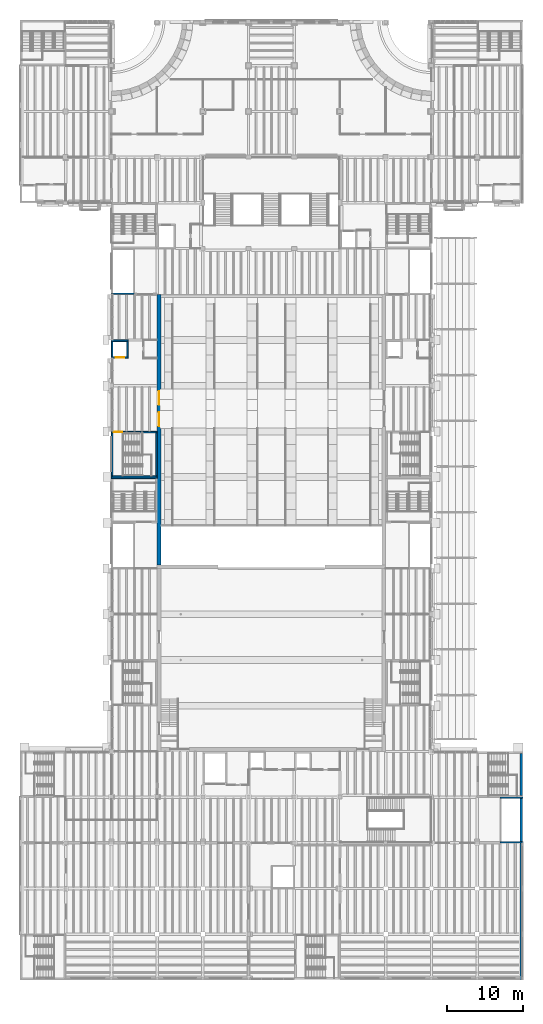
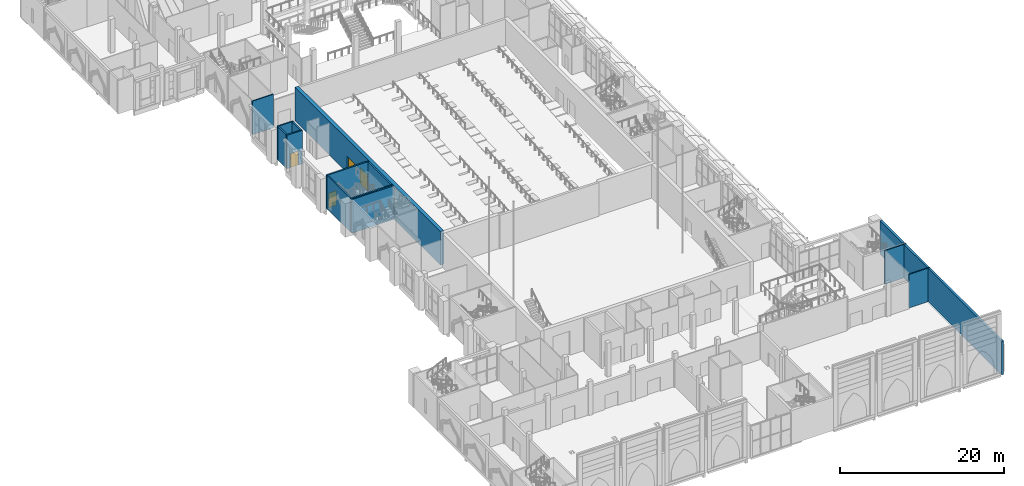
# One storey, part 41 of 80: 16 walls, 4 doors, 4 openings.
"""IFC4 building model written with IfcOpenShell, lengths in metres."""

from ifc_helpers import new_model, si_unit, direction, frame, frame_2d, origin, place, context, subcontext, project, spatial, rectangle, extrude, material, layer, layer_set, type_object, element, fill, save


model = new_model("IFC4")

# Units and contexts
model_context = context("Model", 3, precision=1e-05, world=origin(), true_north=direction((0.0, 1.0)))
body_context = subcontext(model_context, "Body", "Model", "MODEL_VIEW")
ifc_project = project(units=[si_unit("LENGTHUNIT", "METRE"), si_unit("AREAUNIT", "SQUARE_METRE"), si_unit("VOLUMEUNIT", "CUBIC_METRE"), si_unit("PLANEANGLEUNIT", "RADIAN"), si_unit("MASSUNIT", "GRAM", prefix="KILO")], contexts=[model_context])

# Site, building, storey
site_placement = place(None, origin())
site = spatial("IfcSite", under=ifc_project, at=site_placement, CompositionType="ELEMENT")
building_placement = place(site_placement, origin())
building = spatial("IfcBuilding", under=site, at=building_placement, Name="Saffron Lane Theatres", CompositionType="ELEMENT")
storey_placement = place(building_placement, frame((0.0, 0.0, 7.0)))
storey = spatial("IfcBuildingStorey", under=building, at=storey_placement, Name="L01", CompositionType="ELEMENT", Elevation=7.0)

# Walls
ifc_material_1 = material(Name="Concrete N50 (50 MPa)", Category="concrete")
ifc_layer_1 = layer(ifc_material_1, 0.14990234375)
ifc_layer_set_1 = layer_set([ifc_layer_1], Name="Concrete N50 (50 MPa)")
wall_type_1 = type_object("IfcWallType", Name="RC-CORE 150", PredefinedType="SHEAR", material=ifc_layer_set_1)
for number, where, z_axis, x_axis, name in (
    (1, (12.0, 90.074951171875, 0.0), (0.0, 0.0, 1.0), (1.0, 0.0, 0.0), "W-R1-S-L01"),
    (2, (63.0, 23.925048828125, 0.0), (0.0, 0.0, 1.0), (1.0, 0.0, 0.0), "W-R6-N-L01"),
    (3, (63.0, 18.074951171875, 0.0), (0.0, 0.0, 1.0), (1.0, 0.0, 0.0), "W-R6-S-L01"),
):
    element("IfcWall", number, at=place(storey_placement, frame(where, z_axis=z_axis, x_axis=x_axis)), inside=storey, type_object=wall_type_1, Name=name, PredefinedType="SHEAR", context=body_context, shape_type="SweptSolid", body=[
        extrude(rectangle(XDim=3.0, YDim=0.14990234375, at=frame_2d((1.5, 0.0))), origin(), (0.0, 0.0, 1.0), 5.0),
    ])

# Wall, opening, door
ifc_material_2 = material(Name="Concrete N50 (50 MPa)", Category="concrete")
ifc_layer_2 = layer(ifc_material_2, 0.199951171875)
ifc_layer_set_2 = layer_set([ifc_layer_2], Name="Concrete N50 (50 MPa)")
wall_type_2 = type_object("IfcWallType", Name="RC-CORE 200", PredefinedType="SHEAR", material=ifc_layer_set_2)
wall_1_placement = place(storey_placement, frame((12.0, 71.89990234375, 0.0), z_axis=(0.0, 0.0, 1.0), x_axis=(1.0, 0.0, 0.0)))
wall_1 = element("IfcWall", 4, at=wall_1_placement, inside=storey, type_object=wall_type_2, Name="W-ST3-N-L01", PredefinedType="SHEAR", context=body_context, shape_type="SweptSolid", body=[
    extrude(rectangle(XDim=6.0, YDim=0.199951171875, at=frame_2d((3.0, 0.0))), origin(), (0.0, 0.0, 1.0), 5.0),
])
opening_1_placement = place(wall_1_placement, frame((0.300048828125, 0.0, 0.0)))
opening_1 = element("IfcOpeningElement", 5, at=opening_1_placement, cuts=wall_1, Name="Opening D01-35", PredefinedType="OPENING", context=body_context, shape_type="SweptSolid", body=[
    extrude(rectangle(XDim=1.10009765625, YDim=2.199951171875, at=frame_2d((0.550048828125, 1.10009765625))), frame((0.0, 0.10986328125, 0.0), z_axis=(0.0, -1.0, 0.0), x_axis=(1.0, 0.0, 0.0)), (0.0, 0.0, 1.0), 0.219970703125),
])
ifc_material_3 = material(Name="Steel faced fire door leaf", Category="steel")
door_type_1 = type_object("IfcDoorType", Name="IN-DOOR 1100x2200 FD120", OperationType="NOTDEFINED", PredefinedType="DOOR", material=ifc_material_3)
door_1_placement = place(opening_1_placement, frame((1.10009765625, 0.0, 0.0), z_axis=(0.0, 0.0, 1.0), x_axis=(-1.0, 0.0, 0.0)))
door_1 = element("IfcDoor", 6, at=door_1_placement, inside=storey, type_object=door_type_1, Name="D01-35", OperationType="SINGLE_SWING_LEFT", OverallHeight=2.199951171875, OverallWidth=1.10009765625, PredefinedType="DOOR", context=body_context, shape_type="SweptSolid", body=[
    extrude(rectangle(XDim=1.10009765625, YDim=2.199951171875, at=frame_2d((0.550048828125, 1.10009765625))), frame((0.0, 0.02490234375, 0.0), z_axis=(0.0, -1.0, 0.0), x_axis=(1.0, 0.0, 0.0)), (0.0, 0.0, 1.0), 0.050048828125),
])
fill(opening_1, door_1)

# Walls
wall_2_placement = place(storey_placement, frame((12.0, 66.10009765625, 0.0), z_axis=(0.0, 0.0, 1.0), x_axis=(1.0, 0.0, 0.0)))
element("IfcWall", 7, at=wall_2_placement, inside=storey, type_object=wall_type_2, Name="W-ST3-S-L01", PredefinedType="SHEAR", context=body_context, shape_type="SweptSolid", body=[
    extrude(rectangle(XDim=6.0, YDim=0.199951171875, at=frame_2d((3.0, 0.0))), origin(), (0.0, 0.0, 1.0), 5.0),
])
wall_3_placement = place(storey_placement, frame((17.89990234375, 66.199951171875, 0.0), z_axis=(0.0, 0.0, 1.0), x_axis=(0.0, 1.0, 0.0)))
element("IfcWall", 8, at=wall_3_placement, inside=storey, type_object=wall_type_2, Name="W-ST3-E-L01", PredefinedType="SHEAR", context=body_context, shape_type="SweptSolid", body=[
    extrude(rectangle(XDim=5.60009765625, YDim=0.199951171875, at=frame_2d((2.800048828125, 0.0))), origin(), (0.0, 0.0, 1.0), 5.0),
])
wall_4_placement = place(storey_placement, frame((12.0, 65.89990234375, 0.0), z_axis=(0.0, 0.0, 1.0), x_axis=(1.0, 0.0, 0.0)))
element("IfcWall", 9, at=wall_4_placement, inside=storey, type_object=wall_type_2, Name="W-ST10-N-L01", PredefinedType="SHEAR", context=body_context, shape_type="SweptSolid", body=[
    extrude(rectangle(XDim=6.0, YDim=0.199951171875, at=frame_2d((3.0, 0.0))), origin(), (0.0, 0.0, 1.0), 5.0),
])
wall_5_placement = place(storey_placement, frame((12.0, 83.89990234375, 0.0), z_axis=(0.0, 0.0, 1.0), x_axis=(1.0, 0.0, 0.0)))
element("IfcWall", 10, at=wall_5_placement, inside=storey, type_object=wall_type_2, Name="W-LC3-N-L01", PredefinedType="SHEAR", context=body_context, shape_type="SweptSolid", body=[
    extrude(rectangle(XDim=2.199951171875, YDim=0.199951171875, at=frame_2d((1.10009765625, 0.0))), origin(), (0.0, 0.0, 1.0), 5.0),
])

# Wall, opening, door
wall_6_placement = place(storey_placement, frame((12.0, 81.699951171875, 0.0), z_axis=(0.0, 0.0, 1.0), x_axis=(1.0, 0.0, 0.0)))
wall_6 = element("IfcWall", 11, at=wall_6_placement, inside=storey, type_object=wall_type_2, Name="W-LC3-S-L01", PredefinedType="SHEAR", context=body_context, shape_type="SweptSolid", body=[
    extrude(rectangle(XDim=2.199951171875, YDim=0.199951171875, at=frame_2d((1.10009765625, 0.0))), origin(), (0.0, 0.0, 1.0), 5.0),
])
opening_2_placement = place(wall_6_placement, frame((0.550048828125, 0.0, 0.0)))
opening_2 = element("IfcOpeningElement", 12, at=opening_2_placement, cuts=wall_6, Name="Opening LD10", PredefinedType="OPENING", context=body_context, shape_type="SweptSolid", body=[
    extrude(rectangle(XDim=1.10009765625, YDim=2.10009765625, at=frame_2d((0.550048828125, 1.050048828125))), frame((0.0, 0.10986328125, 0.0), z_axis=(0.0, -1.0, 0.0), x_axis=(1.0, 0.0, 0.0)), (0.0, 0.0, 1.0), 0.219970703125),
])
ifc_material_4 = material(Name="Stainless steel 316", Category="steel")
door_type_2 = type_object("IfcDoorType", Name="VC-LANDING DOOR 1100x2100", OperationType="DOUBLE_DOOR_SLIDING", PredefinedType="DOOR", material=ifc_material_4)
door_2_placement = place(opening_2_placement, origin())
door_2 = element("IfcDoor", 13, at=door_2_placement, inside=storey, type_object=door_type_2, Name="Landing doors LC3 L01", OperationType="DOUBLE_DOOR_SLIDING", OverallHeight=2.10009765625, OverallWidth=1.10009765625, PredefinedType="DOOR", context=body_context, shape_type="SweptSolid", body=[
    extrude(rectangle(XDim=1.10009765625, YDim=2.10009765625, at=frame_2d((0.550048828125, 1.050048828125))), frame((0.0, 0.02490234375, 0.0), z_axis=(0.0, -1.0, 0.0), x_axis=(1.0, 0.0, 0.0)), (0.0, 0.0, 1.0), 0.050048828125),
])
fill(opening_2, door_2)

# Walls
wall_7_placement = place(storey_placement, frame((14.10009765625, 81.800048828125, 0.0), z_axis=(0.0, 0.0, 1.0), x_axis=(0.0, 1.0, 0.0)))
element("IfcWall", 14, at=wall_7_placement, inside=storey, type_object=wall_type_2, Name="W-LC3-E-L01", PredefinedType="SHEAR", context=body_context, shape_type="SweptSolid", body=[
    extrude(rectangle(XDim=2.0, YDim=0.199951171875, at=frame_2d((1.0, 0.0))), origin(), (0.0, 0.0, 1.0), 5.0),
])
ifc_material_5 = material(Name="Concrete N50 (50 MPa)", Category="concrete")
ifc_layer_3 = layer(ifc_material_5, 0.199951171875)
ifc_layer_set_3 = layer_set([ifc_layer_3], Name="Concrete N50 (50 MPa)")
wall_type_3 = type_object("IfcWallType", Name="RC-CORE EXTERNAL 200", PredefinedType="SHEAR", material=ifc_layer_set_3)
wall_8_placement = place(storey_placement, frame((12.10009765625, 66.199951171875, 0.0), z_axis=(0.0, 0.0, 1.0), x_axis=(0.0, 1.0, 0.0)))
element("IfcWall", 15, at=wall_8_placement, inside=storey, type_object=wall_type_3, Name="W-ST3-W-L01", PredefinedType="SHEAR", context=body_context, shape_type="SweptSolid", body=[
    extrude(rectangle(XDim=5.60009765625, YDim=0.199951171875, at=frame_2d((2.800048828125, 0.0))), origin(), (0.0, 0.0, 1.0), 5.0),
])
wall_9_placement = place(storey_placement, frame((12.10009765625, 81.800048828125, 0.0), z_axis=(0.0, 0.0, 1.0), x_axis=(0.0, 1.0, 0.0)))
element("IfcWall", 16, at=wall_9_placement, inside=storey, type_object=wall_type_3, Name="W-LC3-W-L01", PredefinedType="SHEAR", context=body_context, shape_type="SweptSolid", body=[
    extrude(rectangle(XDim=2.0, YDim=0.199951171875, at=frame_2d((1.0, 0.0))), origin(), (0.0, 0.0, 1.0), 5.0),
])
ifc_material_6 = material(Name="Concrete N50 (50 MPa)", Category="concrete")
ifc_layer_4 = layer(ifc_material_6, 0.300048828125)
ifc_layer_set_4 = layer_set([ifc_layer_4], Name="Concrete N50 (50 MPa)")
wall_type_4 = type_object("IfcWallType", Name="RC-CORE EXTERNAL 300", PredefinedType="SHEAR", material=ifc_layer_set_4)
wall_10_placement = place(storey_placement, frame((65.7900390625, 24.199951171875, 0.0), z_axis=(0.0, 0.0, 1.0), x_axis=(0.0, 1.0, 0.0)))
element("IfcWall", 17, at=wall_10_placement, inside=storey, type_object=wall_type_4, Name="W-ST13-E-L01", PredefinedType="SHEAR", context=body_context, shape_type="SweptSolid", body=[
    extrude(rectangle(XDim=5.5, YDim=0.300048828125, at=frame_2d((2.75, 0.0))), origin(), (0.0, 0.0, 1.0), 5.0),
])
wall_11_placement = place(storey_placement, frame((65.7900390625, 18.14990234375, 0.0), z_axis=(0.0, 0.0, 1.0), x_axis=(0.0, 1.0, 0.0)))
element("IfcWall", 18, at=wall_11_placement, inside=storey, type_object=wall_type_4, Name="W-R6-E-L01", PredefinedType="SHEAR", context=body_context, shape_type="SweptSolid", body=[
    extrude(rectangle(XDim=5.7001953125, YDim=0.300048828125, at=frame_2d((2.85009765625, 0.0))), origin(), (0.0, 0.0, 1.0), 5.0),
])
ifc_material_7 = material(Name="Concrete N50 (50 MPa)", Category="concrete")
ifc_layer_5 = layer(ifc_material_7, 0.300048828125)
ifc_layer_set_5 = layer_set([ifc_layer_5], Name="Concrete N50 (50 MPa)")
wall_type_5 = type_object("IfcWallType", Name="RC-PARTY 300", PredefinedType="SOLIDWALL", material=ifc_layer_set_5)
wall_12_placement = place(storey_placement, frame((65.7900390625, 0.0, 0.0), z_axis=(0.0, 0.0, 1.0), x_axis=(0.0, 1.0, 0.0)))
element("IfcWall", 19, at=wall_12_placement, inside=storey, type_object=wall_type_5, Name="W-PARTY-E-0-L01", PredefinedType="SOLIDWALL", context=body_context, shape_type="SweptSolid", body=[
    extrude(rectangle(XDim=18.0, YDim=0.300048828125, at=frame_2d((9.0, 0.0))), origin(), (0.0, 0.0, 1.0), 5.0),
])

# Wall, openings, doors
ifc_material_8 = material(Name="Concrete N50 (50 MPa)", Category="concrete")
ifc_layer_6 = layer(ifc_material_8, 0.5)
ifc_layer_set_6 = layer_set([ifc_layer_6], Name="Concrete N50 (50 MPa)")
wall_type_6 = type_object("IfcWallType", Name="RC-WALL 500", PredefinedType="SHEAR", material=ifc_layer_set_6)
wall_13_placement = place(storey_placement, frame((18.25, 54.5, 0.0), z_axis=(0.0, 0.0, 1.0), x_axis=(0.0, 1.0, 0.0)))
wall_13 = element("IfcWall", 20, at=wall_13_placement, inside=storey, type_object=wall_type_6, Name="W-AUDS-W-L01", PredefinedType="SHEAR", context=body_context, shape_type="SweptSolid", body=[
    extrude(rectangle(XDim=35.5, YDim=0.5, at=frame_2d((17.75, 0.0))), origin(), (0.0, 0.0, 1.0), 5.0),
])
opening_3_placement = place(wall_13_placement, frame((18.199951171875, 0.0, 0.0)))
opening_3 = element("IfcOpeningElement", 21, at=opening_3_placement, cuts=wall_13, Name="Opening D01-59", PredefinedType="OPENING", context=body_context, shape_type="SweptSolid", body=[
    extrude(rectangle(XDim=1.800048828125, YDim=2.39990234375, at=frame_2d((0.89990234375, 1.199951171875))), frame((0.0, 0.260009765625, 0.0), z_axis=(0.0, -1.0, 0.0), x_axis=(1.0, 0.0, 0.0)), (0.0, 0.0, 1.0), 0.52001953125),
])
opening_4_placement = place(wall_13_placement, frame((21.0, 0.0, 0.0)))
opening_4 = element("IfcOpeningElement", 22, at=opening_4_placement, cuts=wall_13, Name="Opening D01-61", PredefinedType="OPENING", context=body_context, shape_type="SweptSolid", body=[
    extrude(rectangle(XDim=1.800048828125, YDim=2.39990234375, at=frame_2d((0.89990234375, 1.199951171875))), frame((0.0, 0.260009765625, 0.0), z_axis=(0.0, -1.0, 0.0), x_axis=(1.0, 0.0, 0.0)), (0.0, 0.0, 1.0), 0.52001953125),
])
ifc_material_9 = material(Name="Steel faced fire door leaf", Category="steel")
door_type_3 = type_object("IfcDoorType", Name="IN-DOOR 1800x2400 FD120", OperationType="DOUBLE_DOOR_SINGLE_SWING", PredefinedType="DOOR", material=ifc_material_9)
door_3_placement = place(opening_3_placement, origin())
door_3 = element("IfcDoor", 23, at=door_3_placement, inside=storey, type_object=door_type_3, Name="D01-59", OperationType="DOUBLE_DOOR_SINGLE_SWING", OverallHeight=2.39990234375, OverallWidth=1.800048828125, PredefinedType="DOOR", context=body_context, shape_type="SweptSolid", body=[
    extrude(rectangle(XDim=1.800048828125, YDim=2.39990234375, at=frame_2d((0.89990234375, 1.199951171875))), frame((0.0, 0.02490234375, 0.0), z_axis=(0.0, -1.0, 0.0), x_axis=(1.0, 0.0, 0.0)), (0.0, 0.0, 1.0), 0.050048828125),
])
fill(opening_3, door_3)
door_4_placement = place(opening_4_placement, origin())
door_4 = element("IfcDoor", 24, at=door_4_placement, inside=storey, type_object=door_type_3, Name="D01-61", OperationType="DOUBLE_DOOR_SINGLE_SWING", OverallHeight=2.39990234375, OverallWidth=1.800048828125, PredefinedType="DOOR", context=body_context, shape_type="SweptSolid", body=[
    extrude(rectangle(XDim=1.800048828125, YDim=2.39990234375, at=frame_2d((0.89990234375, 1.199951171875))), frame((0.0, 0.02490234375, 0.0), z_axis=(0.0, -1.0, 0.0), x_axis=(1.0, 0.0, 0.0)), (0.0, 0.0, 1.0), 0.050048828125),
])
fill(opening_4, door_4)

save(model, "model.ifc")
